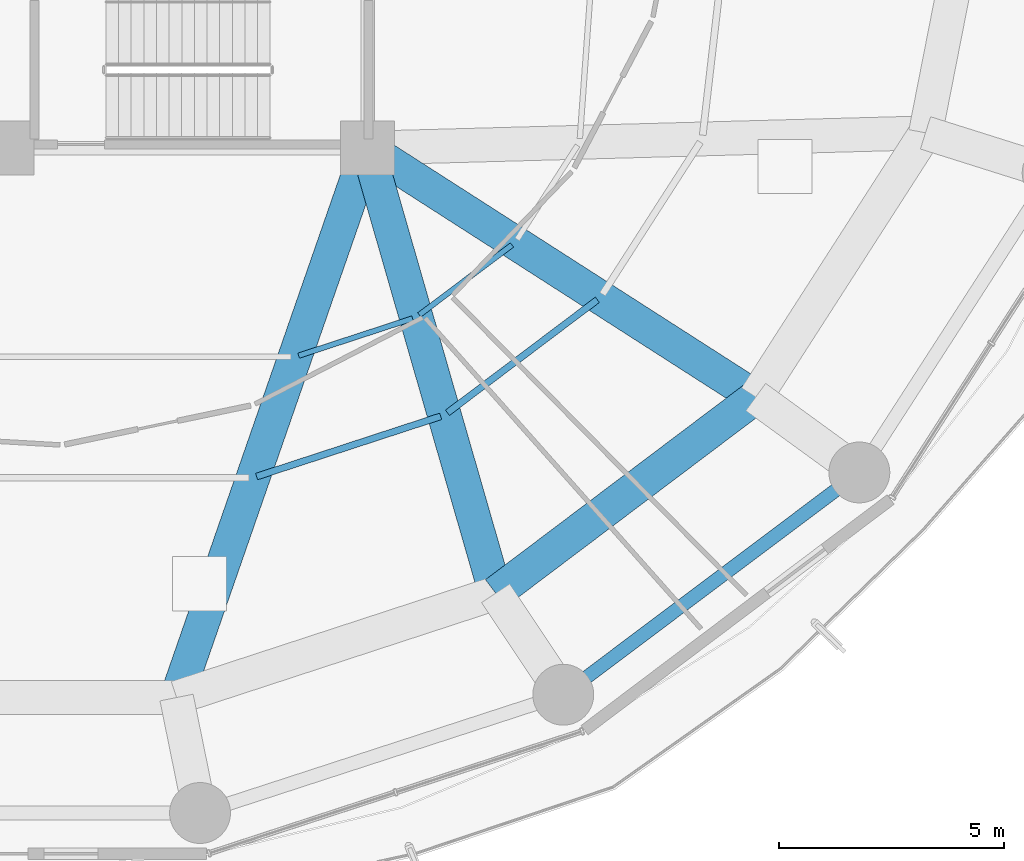
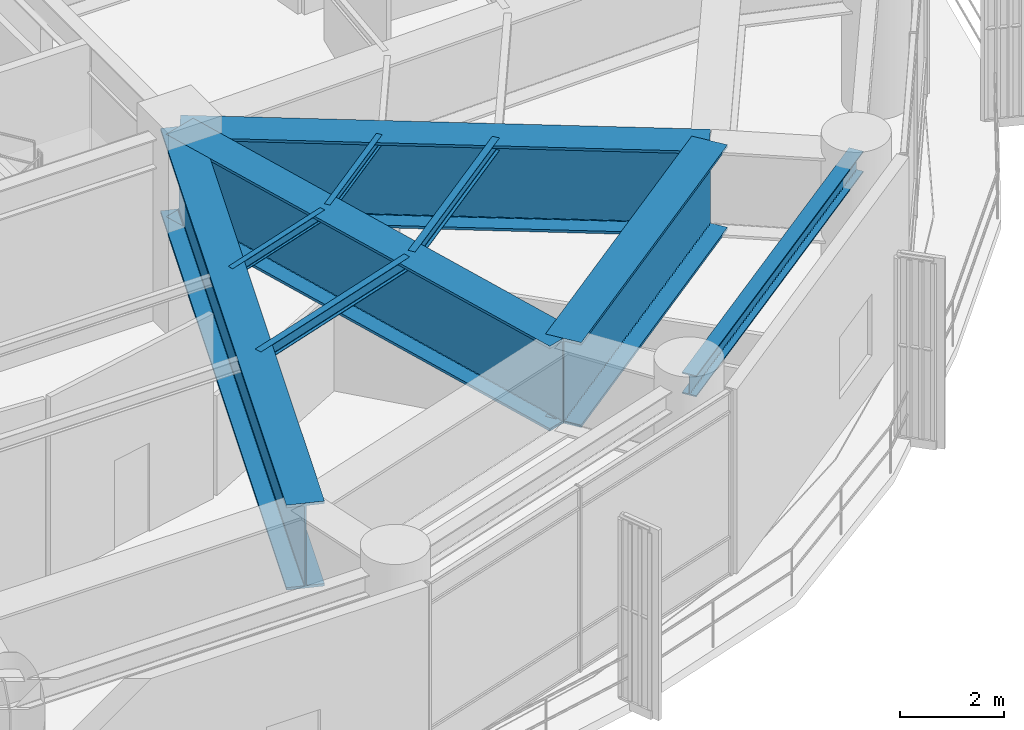
# One storey, part 11 of 34: 9 beams.
"""IFC4 building model written with IfcOpenShell, lengths in metres."""

from ifc_helpers import new_model, si_unit, direction, frame, origin, origin_2d, place, context, subcontext, project, spatial, i_section, extrude, material, material_profile, profile_set, type_object, element, save


model = new_model("IFC4")

# Units and contexts
model_context = context("Model", 3, precision=1e-05, world=origin(), true_north=direction((0.0, 1.0)))
body_context = subcontext(model_context, "Body", "Model", "MODEL_VIEW")
ifc_project = project(units=[si_unit("LENGTHUNIT", "METRE"), si_unit("AREAUNIT", "SQUARE_METRE"), si_unit("VOLUMEUNIT", "CUBIC_METRE"), si_unit("PLANEANGLEUNIT", "RADIAN"), si_unit("MASSUNIT", "GRAM", prefix="KILO")], contexts=[model_context])

# Site, building, storey
site_placement = place(None, origin())
site = spatial("IfcSite", under=ifc_project, at=site_placement, CompositionType="ELEMENT")
building_placement = place(site_placement, origin())
building = spatial("IfcBuilding", under=site, at=building_placement, Name="Kelanora Arch Commons", CompositionType="ELEMENT")
storey_placement = place(building_placement, frame((0.0, 0.0, 125.10009765625)))
storey = spatial("IfcBuildingStorey", under=building, at=storey_placement, Name="L32", CompositionType="ELEMENT", Elevation=125.10009765625)

# Beams
ifc_material = material(Name="Steel S355", Category="steel")
ifc_material_profile_1 = material_profile(ifc_material, i_section(OverallWidth=0.14990234375, OverallDepth=0.300048828125, WebThickness=0.007080078125, FlangeThickness=0.0107421875, FilletRadius=0.014892578125, at=origin_2d()), Name="IPE300")
ifc_profile_set_1 = profile_set([ifc_material_profile_1], Name="Steel S355")
beam_type_1 = type_object("IfcBeamType", Name="BM-JST-01", PredefinedType="JOIST", material=ifc_profile_set_1)
beam_1_placement = place(storey_placement, frame((79.53955078125, 43.716064453125, 4.2099609375), z_axis=(0.950469179307, 0.310818820518, 0.0), x_axis=(-0.310818820518, 0.950469179307, 0.0)))
element("IfcBeam", 1, at=beam_1_placement, inside=storey, type_object=beam_type_1, Name="Secondary Chord Joist BJB-28 L32", PredefinedType="JOIST", context=body_context, shape_type="SweptSolid", body=[
    extrude(i_section(OverallWidth=0.14990234375, OverallDepth=0.300048828125, WebThickness=0.007080078125, FlangeThickness=0.0107421875, FilletRadius=0.014892578125, at=origin_2d()), origin(), (0.0, 0.0, 1.0), 4.296630859375),
])
beam_2_placement = place(storey_placement, frame((83.77197265625, 45.129150390625, 4.2099609375), z_axis=(0.798463547891, 0.602043156833, 0.0), x_axis=(-0.602043156833, 0.798463547891, 0.0)))
element("IfcBeam", 2, at=beam_2_placement, inside=storey, type_object=beam_type_1, Name="Secondary Chord Joist BJB-30 L32", PredefinedType="JOIST", context=body_context, shape_type="SweptSolid", body=[
    extrude(i_section(OverallWidth=0.14990234375, OverallDepth=0.300048828125, WebThickness=0.007080078125, FlangeThickness=0.0107421875, FilletRadius=0.014892578125, at=origin_2d()), origin(), (0.0, 0.0, 1.0), 4.163818359375),
])
ifc_material_profile_2 = material_profile(ifc_material, i_section(OverallWidth=0.1201171875, OverallDepth=0.239990234375, WebThickness=0.006103515625, FlangeThickness=0.009765625, FilletRadius=0.014892578125, at=origin_2d()), Name="IPE240")
ifc_profile_set_2 = profile_set([ifc_material_profile_2], Name="Steel S355")
beam_type_2 = type_object("IfcBeamType", Name="BM-JST-02", PredefinedType="JOIST", material=ifc_profile_set_2)
beam_3_placement = place(storey_placement, frame((80.471435546875, 46.396484375, 4.239990234375), z_axis=(0.950458806818, 0.310850537302, 0.0), x_axis=(-0.310850537302, 0.950458806818, 0.0)))
element("IfcBeam", 3, at=beam_3_placement, inside=storey, type_object=beam_type_2, Name="Secondary Chord Joist BJA-28 L32", PredefinedType="JOIST", context=body_context, shape_type="SweptSolid", body=[
    extrude(i_section(OverallWidth=0.1201171875, OverallDepth=0.239990234375, WebThickness=0.006103515625, FlangeThickness=0.009765625, FilletRadius=0.014892578125, at=origin_2d()), origin(), (0.0, 0.0, 1.0), 2.658447265625),
])
beam_4_placement = place(storey_placement, frame((83.147216796875, 47.300537109375, 4.239990234375), z_axis=(0.798484118859, 0.602015873487, 0.0), x_axis=(-0.602015873487, 0.798484118859, 0.0)))
element("IfcBeam", 4, at=beam_4_placement, inside=storey, type_object=beam_type_2, Name="Secondary Chord Joist BJA-30 L32", PredefinedType="JOIST", context=body_context, shape_type="SweptSolid", body=[
    extrude(i_section(OverallWidth=0.1201171875, OverallDepth=0.239990234375, WebThickness=0.006103515625, FlangeThickness=0.009765625, FilletRadius=0.014892578125, at=origin_2d()), origin(), (0.0, 0.0, 1.0), 2.57470703125),
])
ifc_material_profile_3 = material_profile(ifc_material, i_section(OverallWidth=0.300048828125, OverallDepth=0.5, WebThickness=0.014404296875, FlangeThickness=0.028076171875, FilletRadius=0.027099609375, at=origin_2d()), Name="HEB500")
ifc_profile_set_3 = profile_set([ifc_material_profile_3], Name="Steel S355")
beam_type_3 = type_object("IfcBeamType", Name="BM-SPN-Z2", PredefinedType="SPANDREL", material=ifc_profile_set_3)
beam_5_placement = place(storey_placement, frame((86.340087890625, 38.878173828125, 4.10986328125), z_axis=(0.799735861602, 0.600352023123, 0.0), x_axis=(-0.600352023123, 0.799735861602, 0.0)))
element("IfcBeam", 5, at=beam_5_placement, inside=storey, type_object=beam_type_3, Name="Perimeter Spandrel Beam BS-30 L32", PredefinedType="SPANDREL", context=body_context, shape_type="SweptSolid", body=[
    extrude(i_section(OverallWidth=0.300048828125, OverallDepth=0.5, WebThickness=0.014404296875, FlangeThickness=0.028076171875, FilletRadius=0.027099609375, at=origin_2d()), origin(), (0.0, 0.0, 1.0), 8.210205078125),
])
ifc_material_profile_4 = material_profile(ifc_material, i_section(OverallWidth=0.75, OverallDepth=2.0, WebThickness=0.034912109375, FlangeThickness=0.06005859375, FilletRadius=0.028076171875, at=origin_2d()), Name="PG2000x750")
ifc_profile_set_4 = profile_set([ifc_material_profile_4], Name="Steel S355")
beam_type_4 = type_object("IfcBeamType", Name="BM-XFER-SET", PredefinedType="USERDEFINED", material=ifc_profile_set_4)
beam_6_placement = place(storey_placement, frame((82.0, 51.0, 3.35986328125), z_axis=(-0.328341500991, -0.94455908165, 0.0), x_axis=(0.94455908165, -0.328341500991, 0.0)))
element("IfcBeam", 6, at=beam_6_placement, inside=storey, type_object=beam_type_4, Name="Setback Radial Transfer Girder BRI-28 L32", ObjectType="TRANSFER_GIRDER", PredefinedType="USERDEFINED", context=body_context, shape_type="SweptSolid", body=[
    extrude(i_section(OverallWidth=0.75, OverallDepth=2.0, WebThickness=0.034912109375, FlangeThickness=0.06005859375, FilletRadius=0.028076171875, at=origin_2d()), origin(), (0.0, 0.0, 1.0), 12.899169921875),
])
beam_7_placement = place(storey_placement, frame((82.0, 51.0, 3.35986328125), z_axis=(0.276525880065, -0.961006471182, 0.0), x_axis=(0.961006471182, 0.276525880065, 0.0)))
element("IfcBeam", 7, at=beam_7_placement, inside=storey, type_object=beam_type_4, Name="Setback Radial Transfer Girder BRI-30 L32", ObjectType="TRANSFER_GIRDER", PredefinedType="USERDEFINED", context=body_context, shape_type="SweptSolid", body=[
    extrude(i_section(OverallWidth=0.75, OverallDepth=2.0, WebThickness=0.034912109375, FlangeThickness=0.06005859375, FilletRadius=0.028076171875, at=origin_2d()), origin(), (0.0, 0.0, 1.0), 10.2705078125),
])
beam_8_placement = place(storey_placement, frame((82.0, 51.0, 3.35986328125), z_axis=(0.841719465748, -0.539915123868, 0.0), x_axis=(0.539915123868, 0.841719465748, 0.0)))
element("IfcBeam", 8, at=beam_8_placement, inside=storey, type_object=beam_type_4, Name="Setback Radial Transfer Girder BRI-32 L32", ObjectType="TRANSFER_GIRDER", PredefinedType="USERDEFINED", context=body_context, shape_type="SweptSolid", body=[
    extrude(i_section(OverallWidth=0.75, OverallDepth=2.0, WebThickness=0.034912109375, FlangeThickness=0.06005859375, FilletRadius=0.028076171875, at=origin_2d()), origin(), (0.0, 0.0, 1.0), 10.2265625),
])
beam_9_placement = place(storey_placement, frame((84.840087890625, 41.1298828125, 3.35986328125), z_axis=(0.798484645564, 0.60201517489, 0.0), x_axis=(-0.60201517489, 0.798484645564, 0.0)))
element("IfcBeam", 9, at=beam_9_placement, inside=storey, type_object=beam_type_4, Name="Setback Inner Transfer Ring BSI-30 L32", ObjectType="TRANSFER_GIRDER", PredefinedType="USERDEFINED", context=body_context, shape_type="SweptSolid", body=[
    extrude(i_section(OverallWidth=0.75, OverallDepth=2.0, WebThickness=0.034912109375, FlangeThickness=0.06005859375, FilletRadius=0.028076171875, at=origin_2d()), origin(), (0.0, 0.0, 1.0), 7.223388671875),
])

save(model, "model.ifc")
